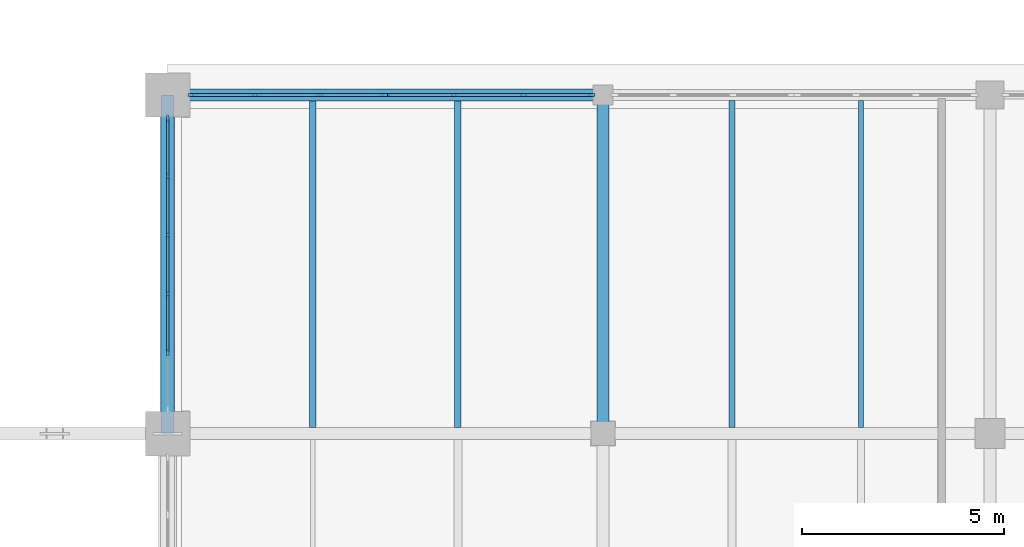
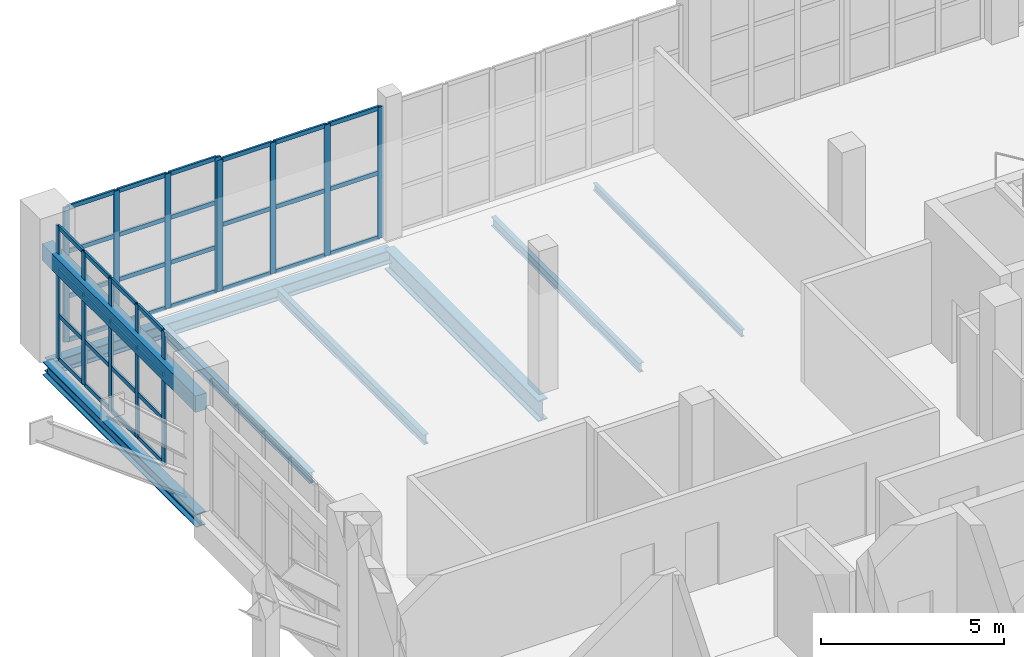
# One storey, part 12 of 121: 50 members, 8 beams, 3 elements without a shape of their own.
"""IFC4 building model written with IfcOpenShell, lengths in metres."""

from ifc_helpers import new_model, si_unit, direction, frame, origin, origin_2d, place, context, subcontext, project, spatial, rectangle, i_section, extrude, material, layer, layer_set, material_profile, profile_set, type_object, element, aggregate, save


model = new_model("IFC4")

# Units and contexts
model_context = context("Model", 3, precision=1e-05, world=origin(), true_north=direction((0.0, 1.0)))
body_context = subcontext(model_context, "Body", "Model", "MODEL_VIEW")
ifc_project = project(units=[si_unit("LENGTHUNIT", "METRE"), si_unit("AREAUNIT", "SQUARE_METRE"), si_unit("VOLUMEUNIT", "CUBIC_METRE"), si_unit("PLANEANGLEUNIT", "RADIAN"), si_unit("MASSUNIT", "GRAM", prefix="KILO")], contexts=[model_context])

# Site, building, storey
site_placement = place(None, origin())
site = spatial("IfcSite", under=ifc_project, at=site_placement, CompositionType="ELEMENT")
building_placement = place(site_placement, origin())
building = spatial("IfcBuilding", under=site, at=building_placement, Name="Zereglee Splitstone Museum", CompositionType="ELEMENT")
storey_placement = place(building_placement, origin())
storey = spatial("IfcBuildingStorey", under=building, at=storey_placement, Name="L00", CompositionType="ELEMENT", Elevation=0.0)

# Curtain wall, members
ifc_material_1 = material(Name="Triple-glazed low-E argon glass and bronze-anodised aluminium", Category="aluminium")
ifc_layer_1 = layer(ifc_material_1, 0.179931640625)
ifc_layer_set_1 = layer_set([ifc_layer_1], Name="Triple-glazed low-E argon glass and bronze-anodised aluminium")
curtain_wall_type_1 = type_object("IfcCurtainWallType", Name="CW-0514-438", PredefinedType="USERDEFINED", material=ifc_layer_set_1)
curtain_wall_1_placement = place(storey_placement, origin())
curtain_wall_1 = element("IfcCurtainWall", 1, at=curtain_wall_1_placement, inside=storey, type_object=curtain_wall_type_1, Name="Glazed Curtain Wall CW-0514-438 (L00)", ObjectType="GLAZED CURTAIN WALL", PredefinedType="USERDEFINED")
ifc_material_2 = material(Name="Thermally broken bronze-anodised aluminium", Category="aluminium")
ifc_material_profile_1 = material_profile(ifc_material_2, rectangle(XDim=0.06494140625, YDim=0.179931640625, at=origin_2d()), Name="CW MULL 65x180")
ifc_profile_set_1 = profile_set([ifc_material_profile_1], Name="Thermally broken bronze-anodised aluminium")
member_type_1 = type_object("IfcMemberType", Name="CWM-01", PredefinedType="MULLION", material=ifc_profile_set_1)
member_1_placement = place(storey_placement, frame((20.109619140625, 38.39990234375, 0.0), z_axis=(0.0, 0.0, 1.0), x_axis=(0.0, -1.0, 0.0)))
member_1 = element("IfcMember", 2, at=member_1_placement, type_object=member_type_1, Name="CW-0514-438 mullion 1", PredefinedType="MULLION", context=body_context, shape_type="SweptSolid", body=[
    extrude(rectangle(XDim=0.06494140625, YDim=0.179931640625, at=origin_2d()), origin(), (0.0, 0.0, 1.0), 4.3798828125),
])
member_2_placement = place(storey_placement, frame((18.427978515625, 38.39990234375, 0.0), z_axis=(0.0, 0.0, 1.0), x_axis=(0.0, -1.0, 0.0)))
member_2 = element("IfcMember", 3, at=member_2_placement, type_object=member_type_1, Name="CW-0514-438 mullion 2", PredefinedType="MULLION", context=body_context, shape_type="SweptSolid", body=[
    extrude(rectangle(XDim=0.06494140625, YDim=0.179931640625, at=origin_2d()), origin(), (0.0, 0.0, 1.0), 4.3798828125),
])
member_3_placement = place(storey_placement, frame((16.714111328125, 38.39990234375, 0.0), z_axis=(0.0, 0.0, 1.0), x_axis=(0.0, -1.0, 0.0)))
member_3 = element("IfcMember", 4, at=member_3_placement, type_object=member_type_1, Name="CW-0514-438 mullion 3", PredefinedType="MULLION", context=body_context, shape_type="SweptSolid", body=[
    extrude(rectangle(XDim=0.06494140625, YDim=0.179931640625, at=origin_2d()), origin(), (0.0, 0.0, 1.0), 4.3798828125),
])
member_4_placement = place(storey_placement, frame((15.032470703125, 38.39990234375, 0.0), z_axis=(0.0, 0.0, 1.0), x_axis=(0.0, -1.0, 0.0)))
member_4 = element("IfcMember", 5, at=member_4_placement, type_object=member_type_1, Name="CW-0514-438 mullion 4", PredefinedType="MULLION", context=body_context, shape_type="SweptSolid", body=[
    extrude(rectangle(XDim=0.06494140625, YDim=0.179931640625, at=origin_2d()), origin(), (0.0, 0.0, 1.0), 4.3798828125),
])

ifc_layer_2 = layer(ifc_material_1, 0.179931640625)
ifc_layer_set_2 = layer_set([ifc_layer_2], Name="Triple-glazed low-E argon glass and bronze-anodised aluminium")
curtain_wall_type_2 = type_object("IfcCurtainWallType", Name="CW-0484-450", PredefinedType="USERDEFINED", material=ifc_layer_set_2)
curtain_wall_2_placement = place(storey_placement, origin())
curtain_wall_2 = element("IfcCurtainWall", 6, at=curtain_wall_2_placement, inside=storey, type_object=curtain_wall_type_2, Name="Glazed Curtain Wall CW-0484-450 (L00)", ObjectType="GLAZED CURTAIN WALL", PredefinedType="USERDEFINED")
member_5_placement = place(storey_placement, frame((14.967529296875, 38.39990234375, 0.0), z_axis=(0.0, 0.0, 1.0), x_axis=(0.0, -1.0, 0.0)))
member_5 = element("IfcMember", 7, at=member_5_placement, type_object=member_type_1, Name="CW-0484-450 mullion 1", PredefinedType="MULLION", context=body_context, shape_type="SweptSolid", body=[
    extrude(rectangle(XDim=0.06494140625, YDim=0.179931640625, at=origin_2d()), origin(), (0.0, 0.0, 1.0), 4.5),
])
member_6_placement = place(storey_placement, frame((13.385986328125, 38.39990234375, 0.0), z_axis=(0.0, 0.0, 1.0), x_axis=(0.0, -1.0, 0.0)))
member_6 = element("IfcMember", 8, at=member_6_placement, type_object=member_type_1, Name="CW-0484-450 mullion 2", PredefinedType="MULLION", context=body_context, shape_type="SweptSolid", body=[
    extrude(rectangle(XDim=0.06494140625, YDim=0.179931640625, at=origin_2d()), origin(), (0.0, 0.0, 1.0), 4.5),
])
member_7_placement = place(storey_placement, frame((11.77197265625, 38.39990234375, 0.0), z_axis=(0.0, 0.0, 1.0), x_axis=(0.0, -1.0, 0.0)))
member_7 = element("IfcMember", 9, at=member_7_placement, type_object=member_type_1, Name="CW-0484-450 mullion 3", PredefinedType="MULLION", context=body_context, shape_type="SweptSolid", body=[
    extrude(rectangle(XDim=0.06494140625, YDim=0.179931640625, at=origin_2d()), origin(), (0.0, 0.0, 1.0), 4.5),
])
member_8_placement = place(storey_placement, frame((10.1904296875, 38.39990234375, 0.0), z_axis=(0.0, 0.0, 1.0), x_axis=(0.0, -1.0, 0.0)))
member_8 = element("IfcMember", 10, at=member_8_placement, type_object=member_type_1, Name="CW-0484-450 mullion 4", PredefinedType="MULLION", context=body_context, shape_type="SweptSolid", body=[
    extrude(rectangle(XDim=0.06494140625, YDim=0.179931640625, at=origin_2d()), origin(), (0.0, 0.0, 1.0), 4.5),
])

ifc_layer_3 = layer(ifc_material_1, 0.179931640625)
ifc_layer_set_3 = layer_set([ifc_layer_3], Name="Triple-glazed low-E argon glass and bronze-anodised aluminium")
curtain_wall_type_3 = type_object("IfcCurtainWallType", Name="CW-0728-444", PredefinedType="USERDEFINED", material=ifc_layer_set_3)
curtain_wall_3_placement = place(storey_placement, origin())
curtain_wall_3 = element("IfcCurtainWall", 11, at=curtain_wall_3_placement, inside=storey, type_object=curtain_wall_type_3, Name="Glazed Curtain Wall CW-0728-444 (L00)", ObjectType="GLAZED CURTAIN WALL", PredefinedType="USERDEFINED")
member_9_placement = place(storey_placement, frame((9.60009765625, 37.8095703125, 0.0), z_axis=(0.0, 0.0, 1.0), x_axis=(1.0, 0.0, 0.0)))
member_9 = element("IfcMember", 12, at=member_9_placement, type_object=member_type_1, Name="CW-0728-444 mullion 1", PredefinedType="MULLION", context=body_context, shape_type="SweptSolid", body=[
    extrude(rectangle(XDim=0.06494140625, YDim=0.179931640625, at=origin_2d()), origin(), (0.0, 0.0, 1.0), 4.43994140625),
])
member_10_placement = place(storey_placement, frame((9.60009765625, 36.38525390625, 0.0), z_axis=(0.0, 0.0, 1.0), x_axis=(1.0, 0.0, 0.0)))
member_10 = element("IfcMember", 13, at=member_10_placement, type_object=member_type_1, Name="CW-0728-444 mullion 2", PredefinedType="MULLION", context=body_context, shape_type="SweptSolid", body=[
    extrude(rectangle(XDim=0.06494140625, YDim=0.179931640625, at=origin_2d()), origin(), (0.0, 0.0, 1.0), 4.43994140625),
])
member_11_placement = place(storey_placement, frame((9.60009765625, 34.928466796875, 0.0), z_axis=(0.0, 0.0, 1.0), x_axis=(1.0, 0.0, 0.0)))
member_11 = element("IfcMember", 14, at=member_11_placement, type_object=member_type_1, Name="CW-0728-444 mullion 3", PredefinedType="MULLION", context=body_context, shape_type="SweptSolid", body=[
    extrude(rectangle(XDim=0.06494140625, YDim=0.179931640625, at=origin_2d()), origin(), (0.0, 0.0, 1.0), 4.43994140625),
])
member_12_placement = place(storey_placement, frame((9.60009765625, 33.4716796875, 0.0), z_axis=(0.0, 0.0, 1.0), x_axis=(1.0, 0.0, 0.0)))
member_12 = element("IfcMember", 15, at=member_12_placement, type_object=member_type_1, Name="CW-0728-444 mullion 4", PredefinedType="MULLION", context=body_context, shape_type="SweptSolid", body=[
    extrude(rectangle(XDim=0.06494140625, YDim=0.179931640625, at=origin_2d()), origin(), (0.0, 0.0, 1.0), 4.43994140625),
])
member_13_placement = place(storey_placement, frame((9.60009765625, 32.014892578125, 0.0), z_axis=(0.0, 0.0, 1.0), x_axis=(1.0, 0.0, 0.0)))
member_13 = element("IfcMember", 16, at=member_13_placement, type_object=member_type_1, Name="CW-0728-444 mullion 5", PredefinedType="MULLION", context=body_context, shape_type="SweptSolid", body=[
    extrude(rectangle(XDim=0.06494140625, YDim=0.179931640625, at=origin_2d()), origin(), (0.0, 0.0, 1.0), 4.43994140625),
])

# Member
ifc_material_profile_2 = material_profile(ifc_material_2, rectangle(XDim=0.06494140625, YDim=0.139892578125, at=origin_2d()), Name="CW TRAN 65x140")
ifc_profile_set_2 = profile_set([ifc_material_profile_2], Name="Thermally broken bronze-anodised aluminium")
member_type_2 = type_object("IfcMemberType", Name="CWT-01", PredefinedType="USERDEFINED", material=ifc_profile_set_2)
member_14_placement = place(storey_placement, frame((20.076904296875, 38.39990234375, 0.032470703125), z_axis=(-1.0, 0.0, 0.0), x_axis=(0.0, -1.0, 0.0)))
member_14 = element("IfcMember", 17, at=member_14_placement, type_object=member_type_2, Name="CW-0514-438 transom 1.1", ObjectType="TRANSOM", PredefinedType="USERDEFINED", context=body_context, shape_type="SweptSolid", body=[
    extrude(rectangle(XDim=0.06494140625, YDim=0.139892578125, at=origin_2d()), origin(), (0.0, 0.0, 1.0), 1.616455078125),
])

member_15_placement = place(storey_placement, frame((20.076904296875, 38.39990234375, 2.18994140625), z_axis=(-1.0, 0.0, 0.0), x_axis=(0.0, -1.0, 0.0)))
member_15 = element("IfcMember", 18, at=member_15_placement, type_object=member_type_2, Name="CW-0514-438 transom 1.2", ObjectType="TRANSOM", PredefinedType="USERDEFINED", context=body_context, shape_type="SweptSolid", body=[
    extrude(rectangle(XDim=0.06494140625, YDim=0.139892578125, at=origin_2d()), origin(), (0.0, 0.0, 1.0), 1.616455078125),
])

member_16_placement = place(storey_placement, frame((20.076904296875, 38.39990234375, 4.347412109375), z_axis=(-1.0, 0.0, 0.0), x_axis=(0.0, -1.0, 0.0)))
member_16 = element("IfcMember", 19, at=member_16_placement, type_object=member_type_2, Name="CW-0514-438 transom 1.3", ObjectType="TRANSOM", PredefinedType="USERDEFINED", context=body_context, shape_type="SweptSolid", body=[
    extrude(rectangle(XDim=0.06494140625, YDim=0.139892578125, at=origin_2d()), origin(), (0.0, 0.0, 1.0), 1.616455078125),
])

member_17_placement = place(storey_placement, frame((18.3955078125, 38.39990234375, 0.032470703125), z_axis=(-1.0, 0.0, 0.0), x_axis=(0.0, -1.0, 0.0)))
member_17 = element("IfcMember", 20, at=member_17_placement, type_object=member_type_2, Name="CW-0514-438 transom 2.1", ObjectType="TRANSOM", PredefinedType="USERDEFINED", context=body_context, shape_type="SweptSolid", body=[
    extrude(rectangle(XDim=0.06494140625, YDim=0.139892578125, at=origin_2d()), origin(), (0.0, 0.0, 1.0), 1.64892578125),
])

member_18_placement = place(storey_placement, frame((18.3955078125, 38.39990234375, 2.18994140625), z_axis=(-1.0, 0.0, 0.0), x_axis=(0.0, -1.0, 0.0)))
member_18 = element("IfcMember", 21, at=member_18_placement, type_object=member_type_2, Name="CW-0514-438 transom 2.2", ObjectType="TRANSOM", PredefinedType="USERDEFINED", context=body_context, shape_type="SweptSolid", body=[
    extrude(rectangle(XDim=0.06494140625, YDim=0.139892578125, at=origin_2d()), origin(), (0.0, 0.0, 1.0), 1.64892578125),
])

member_19_placement = place(storey_placement, frame((18.3955078125, 38.39990234375, 4.347412109375), z_axis=(-1.0, 0.0, 0.0), x_axis=(0.0, -1.0, 0.0)))
member_19 = element("IfcMember", 22, at=member_19_placement, type_object=member_type_2, Name="CW-0514-438 transom 2.3", ObjectType="TRANSOM", PredefinedType="USERDEFINED", context=body_context, shape_type="SweptSolid", body=[
    extrude(rectangle(XDim=0.06494140625, YDim=0.139892578125, at=origin_2d()), origin(), (0.0, 0.0, 1.0), 1.64892578125),
])

member_20_placement = place(storey_placement, frame((16.681396484375, 38.39990234375, 0.032470703125), z_axis=(-1.0, 0.0, 0.0), x_axis=(0.0, -1.0, 0.0)))
member_20 = element("IfcMember", 23, at=member_20_placement, type_object=member_type_2, Name="CW-0514-438 transom 3.1", ObjectType="TRANSOM", PredefinedType="USERDEFINED", context=body_context, shape_type="SweptSolid", body=[
    extrude(rectangle(XDim=0.06494140625, YDim=0.139892578125, at=origin_2d()), origin(), (0.0, 0.0, 1.0), 1.616455078125),
])

member_21_placement = place(storey_placement, frame((16.681396484375, 38.39990234375, 2.18994140625), z_axis=(-1.0, 0.0, 0.0), x_axis=(0.0, -1.0, 0.0)))
member_21 = element("IfcMember", 24, at=member_21_placement, type_object=member_type_2, Name="CW-0514-438 transom 3.2", ObjectType="TRANSOM", PredefinedType="USERDEFINED", context=body_context, shape_type="SweptSolid", body=[
    extrude(rectangle(XDim=0.06494140625, YDim=0.139892578125, at=origin_2d()), origin(), (0.0, 0.0, 1.0), 1.616455078125),
])

member_22_placement = place(storey_placement, frame((16.681396484375, 38.39990234375, 4.347412109375), z_axis=(-1.0, 0.0, 0.0), x_axis=(0.0, -1.0, 0.0)))
member_22 = element("IfcMember", 25, at=member_22_placement, type_object=member_type_2, Name="CW-0514-438 transom 3.3", ObjectType="TRANSOM", PredefinedType="USERDEFINED", context=body_context, shape_type="SweptSolid", body=[
    extrude(rectangle(XDim=0.06494140625, YDim=0.139892578125, at=origin_2d()), origin(), (0.0, 0.0, 1.0), 1.616455078125),
])

aggregate(curtain_wall_1, [member_1, member_2, member_3, member_4, member_14, member_15, member_16, member_17, member_18, member_19, member_20, member_21, member_22])

member_23_placement = place(storey_placement, frame((14.93505859375, 38.39990234375, 0.032470703125), z_axis=(-1.0, 0.0, 0.0), x_axis=(0.0, -1.0, 0.0)))
member_23 = element("IfcMember", 26, at=member_23_placement, type_object=member_type_2, Name="CW-0484-450 transom 1.1", ObjectType="TRANSOM", PredefinedType="USERDEFINED", context=body_context, shape_type="SweptSolid", body=[
    extrude(rectangle(XDim=0.06494140625, YDim=0.139892578125, at=origin_2d()), origin(), (0.0, 0.0, 1.0), 1.5166015625),
])

member_24_placement = place(storey_placement, frame((14.93505859375, 38.39990234375, 1.5), z_axis=(-1.0, 0.0, 0.0), x_axis=(0.0, -1.0, 0.0)))
member_24 = element("IfcMember", 27, at=member_24_placement, type_object=member_type_2, Name="CW-0484-450 transom 1.2", ObjectType="TRANSOM", PredefinedType="USERDEFINED", context=body_context, shape_type="SweptSolid", body=[
    extrude(rectangle(XDim=0.06494140625, YDim=0.139892578125, at=origin_2d()), origin(), (0.0, 0.0, 1.0), 1.5166015625),
])

member_25_placement = place(storey_placement, frame((14.93505859375, 38.39990234375, 3.0), z_axis=(-1.0, 0.0, 0.0), x_axis=(0.0, -1.0, 0.0)))
member_25 = element("IfcMember", 28, at=member_25_placement, type_object=member_type_2, Name="CW-0484-450 transom 1.3", ObjectType="TRANSOM", PredefinedType="USERDEFINED", context=body_context, shape_type="SweptSolid", body=[
    extrude(rectangle(XDim=0.06494140625, YDim=0.139892578125, at=origin_2d()), origin(), (0.0, 0.0, 1.0), 1.5166015625),
])

member_26_placement = place(storey_placement, frame((14.93505859375, 38.39990234375, 4.467529296875), z_axis=(-1.0, 0.0, 0.0), x_axis=(0.0, -1.0, 0.0)))
member_26 = element("IfcMember", 29, at=member_26_placement, type_object=member_type_2, Name="CW-0484-450 transom 1.4", ObjectType="TRANSOM", PredefinedType="USERDEFINED", context=body_context, shape_type="SweptSolid", body=[
    extrude(rectangle(XDim=0.06494140625, YDim=0.139892578125, at=origin_2d()), origin(), (0.0, 0.0, 1.0), 1.5166015625),
])

member_27_placement = place(storey_placement, frame((13.353515625, 38.39990234375, 0.032470703125), z_axis=(-1.0, 0.0, 0.0), x_axis=(0.0, -1.0, 0.0)))
member_27 = element("IfcMember", 30, at=member_27_placement, type_object=member_type_2, Name="CW-0484-450 transom 2.1", ObjectType="TRANSOM", PredefinedType="USERDEFINED", context=body_context, shape_type="SweptSolid", body=[
    extrude(rectangle(XDim=0.06494140625, YDim=0.139892578125, at=origin_2d()), origin(), (0.0, 0.0, 1.0), 1.549072265625),
])

member_28_placement = place(storey_placement, frame((13.353515625, 38.39990234375, 1.5), z_axis=(-1.0, 0.0, 0.0), x_axis=(0.0, -1.0, 0.0)))
member_28 = element("IfcMember", 31, at=member_28_placement, type_object=member_type_2, Name="CW-0484-450 transom 2.2", ObjectType="TRANSOM", PredefinedType="USERDEFINED", context=body_context, shape_type="SweptSolid", body=[
    extrude(rectangle(XDim=0.06494140625, YDim=0.139892578125, at=origin_2d()), origin(), (0.0, 0.0, 1.0), 1.549072265625),
])

member_29_placement = place(storey_placement, frame((13.353515625, 38.39990234375, 3.0), z_axis=(-1.0, 0.0, 0.0), x_axis=(0.0, -1.0, 0.0)))
member_29 = element("IfcMember", 32, at=member_29_placement, type_object=member_type_2, Name="CW-0484-450 transom 2.3", ObjectType="TRANSOM", PredefinedType="USERDEFINED", context=body_context, shape_type="SweptSolid", body=[
    extrude(rectangle(XDim=0.06494140625, YDim=0.139892578125, at=origin_2d()), origin(), (0.0, 0.0, 1.0), 1.549072265625),
])

member_30_placement = place(storey_placement, frame((13.353515625, 38.39990234375, 4.467529296875), z_axis=(-1.0, 0.0, 0.0), x_axis=(0.0, -1.0, 0.0)))
member_30 = element("IfcMember", 33, at=member_30_placement, type_object=member_type_2, Name="CW-0484-450 transom 2.4", ObjectType="TRANSOM", PredefinedType="USERDEFINED", context=body_context, shape_type="SweptSolid", body=[
    extrude(rectangle(XDim=0.06494140625, YDim=0.139892578125, at=origin_2d()), origin(), (0.0, 0.0, 1.0), 1.549072265625),
])

member_31_placement = place(storey_placement, frame((11.739501953125, 38.39990234375, 0.032470703125), z_axis=(-1.0, 0.0, 0.0), x_axis=(0.0, -1.0, 0.0)))
member_31 = element("IfcMember", 34, at=member_31_placement, type_object=member_type_2, Name="CW-0484-450 transom 3.1", ObjectType="TRANSOM", PredefinedType="USERDEFINED", context=body_context, shape_type="SweptSolid", body=[
    extrude(rectangle(XDim=0.06494140625, YDim=0.139892578125, at=origin_2d()), origin(), (0.0, 0.0, 1.0), 1.5166015625),
])

member_32_placement = place(storey_placement, frame((11.739501953125, 38.39990234375, 1.5), z_axis=(-1.0, 0.0, 0.0), x_axis=(0.0, -1.0, 0.0)))
member_32 = element("IfcMember", 35, at=member_32_placement, type_object=member_type_2, Name="CW-0484-450 transom 3.2", ObjectType="TRANSOM", PredefinedType="USERDEFINED", context=body_context, shape_type="SweptSolid", body=[
    extrude(rectangle(XDim=0.06494140625, YDim=0.139892578125, at=origin_2d()), origin(), (0.0, 0.0, 1.0), 1.5166015625),
])

member_33_placement = place(storey_placement, frame((11.739501953125, 38.39990234375, 3.0), z_axis=(-1.0, 0.0, 0.0), x_axis=(0.0, -1.0, 0.0)))
member_33 = element("IfcMember", 36, at=member_33_placement, type_object=member_type_2, Name="CW-0484-450 transom 3.3", ObjectType="TRANSOM", PredefinedType="USERDEFINED", context=body_context, shape_type="SweptSolid", body=[
    extrude(rectangle(XDim=0.06494140625, YDim=0.139892578125, at=origin_2d()), origin(), (0.0, 0.0, 1.0), 1.5166015625),
])

member_34_placement = place(storey_placement, frame((11.739501953125, 38.39990234375, 4.467529296875), z_axis=(-1.0, 0.0, 0.0), x_axis=(0.0, -1.0, 0.0)))
member_34 = element("IfcMember", 37, at=member_34_placement, type_object=member_type_2, Name="CW-0484-450 transom 3.4", ObjectType="TRANSOM", PredefinedType="USERDEFINED", context=body_context, shape_type="SweptSolid", body=[
    extrude(rectangle(XDim=0.06494140625, YDim=0.139892578125, at=origin_2d()), origin(), (0.0, 0.0, 1.0), 1.5166015625),
])

aggregate(curtain_wall_2, [member_5, member_6, member_7, member_8, member_23, member_24, member_25, member_26, member_27, member_28, member_29, member_30, member_31, member_32, member_33, member_34])

member_35_placement = place(storey_placement, frame((9.60009765625, 37.777099609375, 0.032470703125), z_axis=(0.0, -1.0, 0.0), x_axis=(1.0, 0.0, 0.0)))
member_35 = element("IfcMember", 38, at=member_35_placement, type_object=member_type_2, Name="CW-0728-444 transom 1.1", ObjectType="TRANSOM", PredefinedType="USERDEFINED", context=body_context, shape_type="SweptSolid", body=[
    extrude(rectangle(XDim=0.06494140625, YDim=0.139892578125, at=origin_2d()), origin(), (0.0, 0.0, 1.0), 1.359375),
])

member_36_placement = place(storey_placement, frame((9.60009765625, 37.777099609375, 1.47998046875), z_axis=(0.0, -1.0, 0.0), x_axis=(1.0, 0.0, 0.0)))
member_36 = element("IfcMember", 39, at=member_36_placement, type_object=member_type_2, Name="CW-0728-444 transom 1.2", ObjectType="TRANSOM", PredefinedType="USERDEFINED", context=body_context, shape_type="SweptSolid", body=[
    extrude(rectangle(XDim=0.06494140625, YDim=0.139892578125, at=origin_2d()), origin(), (0.0, 0.0, 1.0), 1.359375),
])

member_37_placement = place(storey_placement, frame((9.60009765625, 37.777099609375, 2.9599609375), z_axis=(0.0, -1.0, 0.0), x_axis=(1.0, 0.0, 0.0)))
member_37 = element("IfcMember", 40, at=member_37_placement, type_object=member_type_2, Name="CW-0728-444 transom 1.3", ObjectType="TRANSOM", PredefinedType="USERDEFINED", context=body_context, shape_type="SweptSolid", body=[
    extrude(rectangle(XDim=0.06494140625, YDim=0.139892578125, at=origin_2d()), origin(), (0.0, 0.0, 1.0), 1.359375),
])

member_38_placement = place(storey_placement, frame((9.60009765625, 37.777099609375, 4.407470703125), z_axis=(0.0, -1.0, 0.0), x_axis=(1.0, 0.0, 0.0)))
member_38 = element("IfcMember", 41, at=member_38_placement, type_object=member_type_2, Name="CW-0728-444 transom 1.4", ObjectType="TRANSOM", PredefinedType="USERDEFINED", context=body_context, shape_type="SweptSolid", body=[
    extrude(rectangle(XDim=0.06494140625, YDim=0.139892578125, at=origin_2d()), origin(), (0.0, 0.0, 1.0), 1.359375),
])

member_39_placement = place(storey_placement, frame((9.60009765625, 36.352783203125, 0.032470703125), z_axis=(0.0, -1.0, 0.0), x_axis=(1.0, 0.0, 0.0)))
member_39 = element("IfcMember", 42, at=member_39_placement, type_object=member_type_2, Name="CW-0728-444 transom 2.1", ObjectType="TRANSOM", PredefinedType="USERDEFINED", context=body_context, shape_type="SweptSolid", body=[
    extrude(rectangle(XDim=0.06494140625, YDim=0.139892578125, at=origin_2d()), origin(), (0.0, 0.0, 1.0), 1.391845703125),
])

member_40_placement = place(storey_placement, frame((9.60009765625, 36.352783203125, 1.47998046875), z_axis=(0.0, -1.0, 0.0), x_axis=(1.0, 0.0, 0.0)))
member_40 = element("IfcMember", 43, at=member_40_placement, type_object=member_type_2, Name="CW-0728-444 transom 2.2", ObjectType="TRANSOM", PredefinedType="USERDEFINED", context=body_context, shape_type="SweptSolid", body=[
    extrude(rectangle(XDim=0.06494140625, YDim=0.139892578125, at=origin_2d()), origin(), (0.0, 0.0, 1.0), 1.391845703125),
])

member_41_placement = place(storey_placement, frame((9.60009765625, 36.352783203125, 2.9599609375), z_axis=(0.0, -1.0, 0.0), x_axis=(1.0, 0.0, 0.0)))
member_41 = element("IfcMember", 44, at=member_41_placement, type_object=member_type_2, Name="CW-0728-444 transom 2.3", ObjectType="TRANSOM", PredefinedType="USERDEFINED", context=body_context, shape_type="SweptSolid", body=[
    extrude(rectangle(XDim=0.06494140625, YDim=0.139892578125, at=origin_2d()), origin(), (0.0, 0.0, 1.0), 1.391845703125),
])

member_42_placement = place(storey_placement, frame((9.60009765625, 36.352783203125, 4.407470703125), z_axis=(0.0, -1.0, 0.0), x_axis=(1.0, 0.0, 0.0)))
member_42 = element("IfcMember", 45, at=member_42_placement, type_object=member_type_2, Name="CW-0728-444 transom 2.4", ObjectType="TRANSOM", PredefinedType="USERDEFINED", context=body_context, shape_type="SweptSolid", body=[
    extrude(rectangle(XDim=0.06494140625, YDim=0.139892578125, at=origin_2d()), origin(), (0.0, 0.0, 1.0), 1.391845703125),
])

member_43_placement = place(storey_placement, frame((9.60009765625, 34.89599609375, 0.032470703125), z_axis=(0.0, -1.0, 0.0), x_axis=(1.0, 0.0, 0.0)))
member_43 = element("IfcMember", 46, at=member_43_placement, type_object=member_type_2, Name="CW-0728-444 transom 3.1", ObjectType="TRANSOM", PredefinedType="USERDEFINED", context=body_context, shape_type="SweptSolid", body=[
    extrude(rectangle(XDim=0.06494140625, YDim=0.139892578125, at=origin_2d()), origin(), (0.0, 0.0, 1.0), 1.391845703125),
])

member_44_placement = place(storey_placement, frame((9.60009765625, 34.89599609375, 1.47998046875), z_axis=(0.0, -1.0, 0.0), x_axis=(1.0, 0.0, 0.0)))
member_44 = element("IfcMember", 47, at=member_44_placement, type_object=member_type_2, Name="CW-0728-444 transom 3.2", ObjectType="TRANSOM", PredefinedType="USERDEFINED", context=body_context, shape_type="SweptSolid", body=[
    extrude(rectangle(XDim=0.06494140625, YDim=0.139892578125, at=origin_2d()), origin(), (0.0, 0.0, 1.0), 1.391845703125),
])

member_45_placement = place(storey_placement, frame((9.60009765625, 34.89599609375, 2.9599609375), z_axis=(0.0, -1.0, 0.0), x_axis=(1.0, 0.0, 0.0)))
member_45 = element("IfcMember", 48, at=member_45_placement, type_object=member_type_2, Name="CW-0728-444 transom 3.3", ObjectType="TRANSOM", PredefinedType="USERDEFINED", context=body_context, shape_type="SweptSolid", body=[
    extrude(rectangle(XDim=0.06494140625, YDim=0.139892578125, at=origin_2d()), origin(), (0.0, 0.0, 1.0), 1.391845703125),
])

member_46_placement = place(storey_placement, frame((9.60009765625, 34.89599609375, 4.407470703125), z_axis=(0.0, -1.0, 0.0), x_axis=(1.0, 0.0, 0.0)))
member_46 = element("IfcMember", 49, at=member_46_placement, type_object=member_type_2, Name="CW-0728-444 transom 3.4", ObjectType="TRANSOM", PredefinedType="USERDEFINED", context=body_context, shape_type="SweptSolid", body=[
    extrude(rectangle(XDim=0.06494140625, YDim=0.139892578125, at=origin_2d()), origin(), (0.0, 0.0, 1.0), 1.391845703125),
])

member_47_placement = place(storey_placement, frame((9.60009765625, 33.439208984375, 0.032470703125), z_axis=(0.0, -1.0, 0.0), x_axis=(1.0, 0.0, 0.0)))
member_47 = element("IfcMember", 50, at=member_47_placement, type_object=member_type_2, Name="CW-0728-444 transom 4.1", ObjectType="TRANSOM", PredefinedType="USERDEFINED", context=body_context, shape_type="SweptSolid", body=[
    extrude(rectangle(XDim=0.06494140625, YDim=0.139892578125, at=origin_2d()), origin(), (0.0, 0.0, 1.0), 1.391845703125),
])

member_48_placement = place(storey_placement, frame((9.60009765625, 33.439208984375, 1.47998046875), z_axis=(0.0, -1.0, 0.0), x_axis=(1.0, 0.0, 0.0)))
member_48 = element("IfcMember", 51, at=member_48_placement, type_object=member_type_2, Name="CW-0728-444 transom 4.2", ObjectType="TRANSOM", PredefinedType="USERDEFINED", context=body_context, shape_type="SweptSolid", body=[
    extrude(rectangle(XDim=0.06494140625, YDim=0.139892578125, at=origin_2d()), origin(), (0.0, 0.0, 1.0), 1.391845703125),
])

member_49_placement = place(storey_placement, frame((9.60009765625, 33.439208984375, 2.9599609375), z_axis=(0.0, -1.0, 0.0), x_axis=(1.0, 0.0, 0.0)))
member_49 = element("IfcMember", 52, at=member_49_placement, type_object=member_type_2, Name="CW-0728-444 transom 4.3", ObjectType="TRANSOM", PredefinedType="USERDEFINED", context=body_context, shape_type="SweptSolid", body=[
    extrude(rectangle(XDim=0.06494140625, YDim=0.139892578125, at=origin_2d()), origin(), (0.0, 0.0, 1.0), 1.391845703125),
])

member_50_placement = place(storey_placement, frame((9.60009765625, 33.439208984375, 4.407470703125), z_axis=(0.0, -1.0, 0.0), x_axis=(1.0, 0.0, 0.0)))
member_50 = element("IfcMember", 53, at=member_50_placement, type_object=member_type_2, Name="CW-0728-444 transom 4.4", ObjectType="TRANSOM", PredefinedType="USERDEFINED", context=body_context, shape_type="SweptSolid", body=[
    extrude(rectangle(XDim=0.06494140625, YDim=0.139892578125, at=origin_2d()), origin(), (0.0, 0.0, 1.0), 1.391845703125),
])

aggregate(curtain_wall_3, [member_9, member_10, member_11, member_12, member_13, member_35, member_36, member_37, member_38, member_39, member_40, member_41, member_42, member_43, member_44, member_45, member_46, member_47, member_48, member_49, member_50])

# Beams
ifc_material_3 = material(Name="Steel S355J2", Category="steel")
ifc_material_profile_3 = material_profile(ifc_material_3, i_section(OverallWidth=0.300048828125, OverallDepth=0.699951171875, WebThickness=0.01708984375, FlangeThickness=0.031982421875, FilletRadius=0.027099609375, at=origin_2d()), Name="HE 700 B")
ifc_profile_set_3 = profile_set([ifc_material_profile_3], Name="Steel S355J2")
beam_type_1 = type_object("IfcBeamType", Name="BG-08", PredefinedType="BEAM", material=ifc_profile_set_3)
beam_1_placement = place(storey_placement, frame((20.39990234375, 30.0, -0.77001953125), z_axis=(0.0, 1.0, 0.0), x_axis=(-1.0, 0.0, 0.0)))
element("IfcBeam", 54, at=beam_1_placement, inside=storey, type_object=beam_type_1, Name="Primary Girder L00 4 (30.0-38.4)", PredefinedType="BEAM", context=body_context, shape_type="SweptSolid", body=[
    extrude(i_section(OverallWidth=0.300048828125, OverallDepth=0.699951171875, WebThickness=0.01708984375, FlangeThickness=0.031982421875, FilletRadius=0.027099609375, at=origin_2d()), origin(), (0.0, 0.0, 1.0), 8.39990234375),
])
ifc_material_profile_4 = material_profile(ifc_material_3, i_section(OverallWidth=0.1201171875, OverallDepth=0.239990234375, WebThickness=0.006103515625, FlangeThickness=0.009765625, FilletRadius=0.014892578125, at=origin_2d()), Name="IPE 240")
ifc_profile_set_4 = profile_set([ifc_material_profile_4], Name="Steel S355J2")
beam_type_2 = type_object("IfcBeamType", Name="BJ-07", PredefinedType="JOIST", material=ifc_profile_set_4)
beam_2_placement = place(storey_placement, frame((26.800048828125, 30.14990234375, -0.5400390625), z_axis=(0.0, 1.0, 0.0), x_axis=(-1.0, 0.0, 0.0)))
element("IfcBeam", 55, at=beam_2_placement, inside=storey, type_object=beam_type_2, Name="Secondary Floor Joist L00-0342", PredefinedType="JOIST", context=body_context, shape_type="SweptSolid", body=[
    extrude(i_section(OverallWidth=0.1201171875, OverallDepth=0.239990234375, WebThickness=0.006103515625, FlangeThickness=0.009765625, FilletRadius=0.014892578125, at=origin_2d()), origin(), (0.0, 0.0, 1.0), 8.110107421875),
])
ifc_material_profile_5 = material_profile(ifc_material_3, i_section(OverallWidth=0.14990234375, OverallDepth=0.300048828125, WebThickness=0.007080078125, FlangeThickness=0.0107421875, FilletRadius=0.014892578125, at=origin_2d()), Name="IPE 300")
ifc_profile_set_5 = profile_set([ifc_material_profile_5], Name="Steel S355J2")
beam_type_3 = type_object("IfcBeamType", Name="BJ-06", PredefinedType="JOIST", material=ifc_profile_set_5)
beam_3_placement = place(storey_placement, frame((23.60009765625, 30.14990234375, -0.570068359375), z_axis=(0.0, 1.0, 0.0), x_axis=(-1.0, 0.0, 0.0)))
element("IfcBeam", 56, at=beam_3_placement, inside=storey, type_object=beam_type_3, Name="Secondary Floor Joist L00-0341", PredefinedType="JOIST", context=body_context, shape_type="SweptSolid", body=[
    extrude(i_section(OverallWidth=0.14990234375, OverallDepth=0.300048828125, WebThickness=0.007080078125, FlangeThickness=0.0107421875, FilletRadius=0.014892578125, at=origin_2d()), origin(), (0.0, 0.0, 1.0), 8.110107421875),
])
ifc_material_profile_6 = material_profile(ifc_material_3, i_section(OverallWidth=0.159912109375, OverallDepth=0.330078125, WebThickness=0.007568359375, FlangeThickness=0.011474609375, FilletRadius=0.01806640625, at=origin_2d()), Name="IPE 330")
ifc_profile_set_6 = profile_set([ifc_material_profile_6], Name="Steel S355J2")
beam_type_4 = type_object("IfcBeamType", Name="BJ-05", PredefinedType="JOIST", material=ifc_profile_set_6)
beam_4_placement = place(storey_placement, frame((16.800048828125, 30.14990234375, -0.5849609375), z_axis=(0.0, 1.0, 0.0), x_axis=(-1.0, 0.0, 0.0)))
element("IfcBeam", 57, at=beam_4_placement, inside=storey, type_object=beam_type_4, Name="Secondary Floor Joist L00-0340", PredefinedType="JOIST", context=body_context, shape_type="SweptSolid", body=[
    extrude(i_section(OverallWidth=0.159912109375, OverallDepth=0.330078125, WebThickness=0.007568359375, FlangeThickness=0.011474609375, FilletRadius=0.01806640625, at=origin_2d()), origin(), (0.0, 0.0, 1.0), 8.10009765625),
])
ifc_material_profile_7 = material_profile(ifc_material_3, i_section(OverallWidth=0.169921875, OverallDepth=0.360107421875, WebThickness=0.008056640625, FlangeThickness=0.0126953125, FilletRadius=0.01806640625, at=origin_2d()), Name="IPE 360")
ifc_profile_set_7 = profile_set([ifc_material_profile_7], Name="Steel S355J2")
beam_type_5 = type_object("IfcBeamType", Name="BJ-04", PredefinedType="JOIST", material=ifc_profile_set_7)
beam_5_placement = place(storey_placement, frame((13.199951171875, 30.14990234375, -0.60009765625), z_axis=(0.0, 1.0, 0.0), x_axis=(-1.0, 0.0, 0.0)))
element("IfcBeam", 58, at=beam_5_placement, inside=storey, type_object=beam_type_5, Name="Secondary Floor Joist L00-0339", PredefinedType="JOIST", context=body_context, shape_type="SweptSolid", body=[
    extrude(i_section(OverallWidth=0.169921875, OverallDepth=0.360107421875, WebThickness=0.008056640625, FlangeThickness=0.0126953125, FilletRadius=0.01806640625, at=origin_2d()), origin(), (0.0, 0.0, 1.0), 8.10009765625),
])
ifc_material_4 = material(Name="Precast concrete C40/50", Category="concrete")
ifc_material_profile_8 = material_profile(ifc_material_4, rectangle(XDim=0.35009765625, YDim=0.550048828125, at=origin_2d()), Name="RC 350x550")
ifc_profile_set_8 = profile_set([ifc_material_profile_8], Name="Precast concrete C40/50")
beam_type_6 = type_object("IfcBeamType", Name="LN-01", PredefinedType="LINTEL", material=ifc_profile_set_8)
beam_6_placement = place(storey_placement, frame((9.60009765625, 30.0, 3.25), z_axis=(0.0, 1.0, 0.0), x_axis=(-1.0, 0.0, 0.0)))
element("IfcBeam", 59, at=beam_6_placement, inside=storey, type_object=beam_type_6, Name="Pishtaq Portal Lintel LNT-04", PredefinedType="LINTEL", context=body_context, shape_type="SweptSolid", body=[
    extrude(rectangle(XDim=0.35009765625, YDim=0.550048828125, at=origin_2d()), origin(), (0.0, 0.0, 1.0), 8.39990234375),
])
ifc_material_profile_9 = material_profile(ifc_material_3, i_section(OverallWidth=0.300048828125, OverallDepth=0.449951171875, WebThickness=0.013916015625, FlangeThickness=0.02587890625, FilletRadius=0.027099609375, at=origin_2d()), Name="HE 450 B")
ifc_profile_set_9 = profile_set([ifc_material_profile_9], Name="Steel S355J2")
beam_type_7 = type_object("IfcBeamType", Name="SP-02", PredefinedType="SPANDREL", material=ifc_profile_set_9)
beam_7_placement = place(storey_placement, frame((9.60009765625, 38.39990234375, -0.64501953125), z_axis=(1.0, 0.0, 0.0), x_axis=(0.0, 1.0, 0.0)))
element("IfcBeam", 60, at=beam_7_placement, inside=storey, type_object=beam_type_7, Name="Primary Girder L00 E (9.6-20.4)", PredefinedType="SPANDREL", context=body_context, shape_type="SweptSolid", body=[
    extrude(i_section(OverallWidth=0.300048828125, OverallDepth=0.449951171875, WebThickness=0.013916015625, FlangeThickness=0.02587890625, FilletRadius=0.027099609375, at=origin_2d()), origin(), (0.0, 0.0, 1.0), 10.7998046875),
])
beam_8_placement = place(storey_placement, frame((9.60009765625, 30.0, -0.64501953125), z_axis=(0.0, 1.0, 0.0), x_axis=(-1.0, 0.0, 0.0)))
element("IfcBeam", 61, at=beam_8_placement, inside=storey, type_object=beam_type_7, Name="Primary Girder L00 2 (30.0-38.4)", PredefinedType="SPANDREL", context=body_context, shape_type="SweptSolid", body=[
    extrude(i_section(OverallWidth=0.300048828125, OverallDepth=0.449951171875, WebThickness=0.013916015625, FlangeThickness=0.02587890625, FilletRadius=0.027099609375, at=origin_2d()), origin(), (0.0, 0.0, 1.0), 8.39990234375),
])

save(model, "model.ifc")
